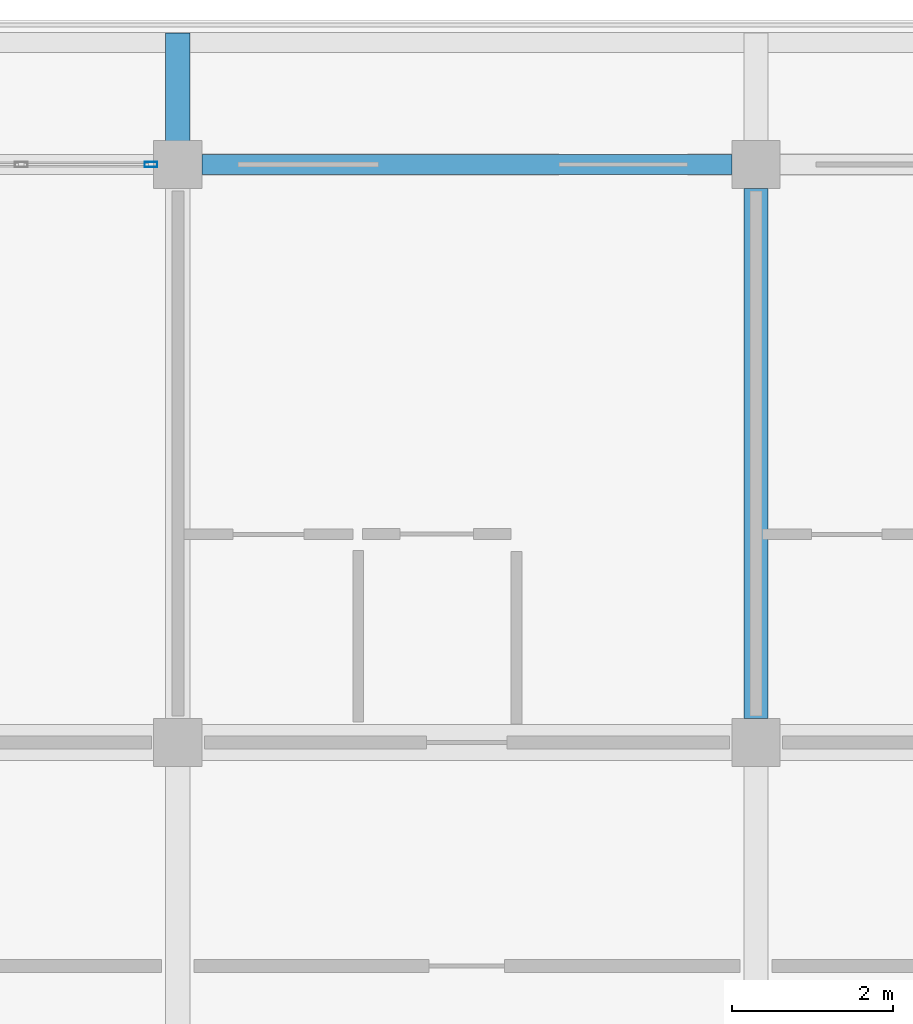
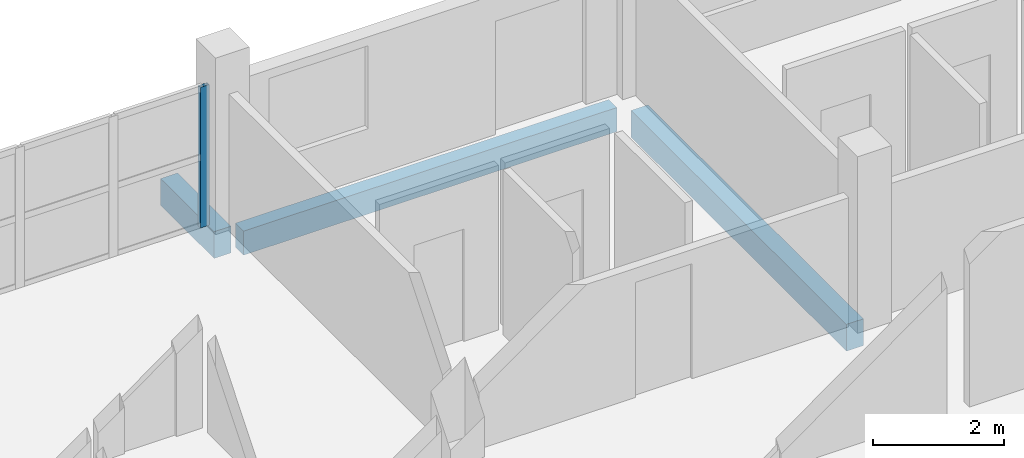
# One storey, part 14 of 60: 3 beams, 1 member, 1 element without a shape of its own.
"""IFC4 building model written with IfcOpenShell, lengths in metres."""

from ifc_helpers import new_model, si_unit, direction, frame, origin, origin_2d, place, context, subcontext, project, spatial, rectangle, hollow_rectangle, extrude, material, material_profile, profile_set, type_object, element, aggregate, save


model = new_model("IFC4")

# Units and contexts
model_context = context("Model", 3, precision=1e-05, world=origin(), true_north=direction((0.0, 1.0)))
body_context = subcontext(model_context, "Body", "Model", "MODEL_VIEW")
ifc_project = project(units=[si_unit("LENGTHUNIT", "METRE"), si_unit("AREAUNIT", "SQUARE_METRE"), si_unit("VOLUMEUNIT", "CUBIC_METRE"), si_unit("PLANEANGLEUNIT", "RADIAN"), si_unit("MASSUNIT", "GRAM", prefix="KILO")], contexts=[model_context])

# Site, building, storey
site_placement = place(None, origin())
site = spatial("IfcSite", under=ifc_project, at=site_placement, CompositionType="ELEMENT")
building_placement = place(site_placement, origin())
building = spatial("IfcBuilding", under=site, at=building_placement, Name="Suanplinth Sawtooth Commons", CompositionType="ELEMENT")
storey_placement = place(building_placement, frame((0.0, 0.0, 31.5)))
storey = spatial("IfcBuildingStorey", under=building, at=storey_placement, Name="L09", CompositionType="ELEMENT", Elevation=31.5)

# Beams
ifc_material_1 = material(Name="Precast concrete C40/50", Category="concrete")
ifc_material_profile_1 = material_profile(ifc_material_1, rectangle(XDim=0.300048828125, YDim=0.5, at=origin_2d()), Name="PC-BM 300x500")
ifc_profile_set_1 = profile_set([ifc_material_profile_1], Name="Precast concrete C40/50")
beam_type_1 = type_object("IfcBeamType", Name="B-07", PredefinedType="BEAM", material=ifc_profile_set_1)
beam_1_placement = place(storey_placement, frame((86.39990234375, 115.5, -0.5), z_axis=(0.0, 1.0, 0.0), x_axis=(-1.0, 0.0, 0.0)))
element("IfcBeam", 1, at=beam_1_placement, inside=storey, type_object=beam_type_1, Name="BMY-L09-A-12-16", PredefinedType="BEAM", context=body_context, shape_type="SweptSolid", body=[
    extrude(rectangle(XDim=0.300048828125, YDim=0.5, at=origin_2d()), origin(), (0.0, 0.0, 1.0), 6.60009765625),
])
beam_2_placement = place(storey_placement, frame((79.199951171875, 122.39990234375, -0.429931640625), z_axis=(0.0, 1.0, 0.0), x_axis=(-1.0, 0.0, 0.0)))
element("IfcBeam", 2, at=beam_2_placement, inside=storey, type_object=beam_type_1, Name="Balcony Outrigger L09-A-N-11", PredefinedType="BEAM", context=body_context, shape_type="SweptSolid", body=[
    extrude(rectangle(XDim=0.300048828125, YDim=0.5, at=origin_2d()), origin(), (0.0, 0.0, 1.0), 1.64013671875),
])
ifc_material_profile_2 = material_profile(ifc_material_1, rectangle(XDim=0.25, YDim=0.449951171875, at=origin_2d()), Name="PC-SP 250x450")
ifc_profile_set_2 = profile_set([ifc_material_profile_2], Name="Precast concrete C40/50")
beam_type_2 = type_object("IfcBeamType", Name="B-09", PredefinedType="SPANDREL", material=ifc_profile_set_2)
beam_3_placement = place(storey_placement, frame((79.5, 122.39990234375, -0.47509765625), z_axis=(1.0, 0.0, 0.0), x_axis=(0.0, 1.0, 0.0)))
element("IfcBeam", 3, at=beam_3_placement, inside=storey, type_object=beam_type_2, Name="BMX-L09-A-11-17", PredefinedType="SPANDREL", context=body_context, shape_type="SweptSolid", body=[
    extrude(rectangle(XDim=0.25, YDim=0.449951171875, at=origin_2d()), origin(), (0.0, 0.0, 1.0), 6.60009765625),
])

# Curtain wall, member
ifc_material_2 = material(Name="Anodized aluminium and low-E glazing", Category="aluminium")
curtain_wall_type = type_object("IfcCurtainWallType", Name="CW-06", PredefinedType="USERDEFINED", material=ifc_material_2)
curtain_wall_placement = place(storey_placement, origin())
curtain_wall = element("IfcCurtainWall", 4, at=curtain_wall_placement, inside=storey, type_object=curtain_wall_type, Name="Curtain Wall CW-L09-A-LOUNGE-8", ObjectType="CURTAIN WALL", PredefinedType="USERDEFINED")
ifc_material_3 = material(Name="Anodized aluminium 6063-T6", Category="aluminium")
ifc_material_profile_3 = material_profile(ifc_material_3, hollow_rectangle(XDim=0.06494140625, YDim=0.159912109375, WallThickness=0.00390625, at=origin_2d()), Name="ALU-MUL 65x160")
ifc_profile_set_3 = profile_set([ifc_material_profile_3], Name="Anodized aluminium 6063-T6")
member_type = type_object("IfcMemberType", Name="M-13", PredefinedType="MULLION", material=ifc_profile_set_3)
member_placement = place(storey_placement, frame((78.867431640625, 122.39990234375, 0.0), z_axis=(0.0, 0.0, 1.0), x_axis=(0.0, 1.0, 0.0)))
member = element("IfcMember", 5, at=member_placement, type_object=member_type, Name="CW-06 mullion 5", PredefinedType="MULLION", context=body_context, shape_type="SweptSolid", body=[
    extrude(hollow_rectangle(XDim=0.06494140625, YDim=0.159912109375, WallThickness=0.00390625, at=origin_2d()), origin(), (0.0, 0.0, 1.0), 2.6298828125),
])
aggregate(curtain_wall, [member])

save(model, "model.ifc")
